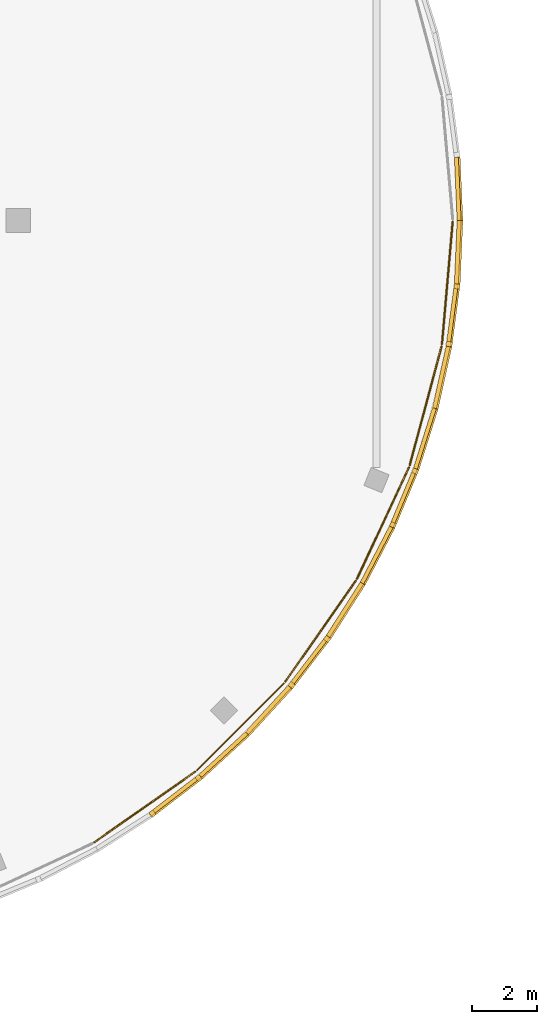
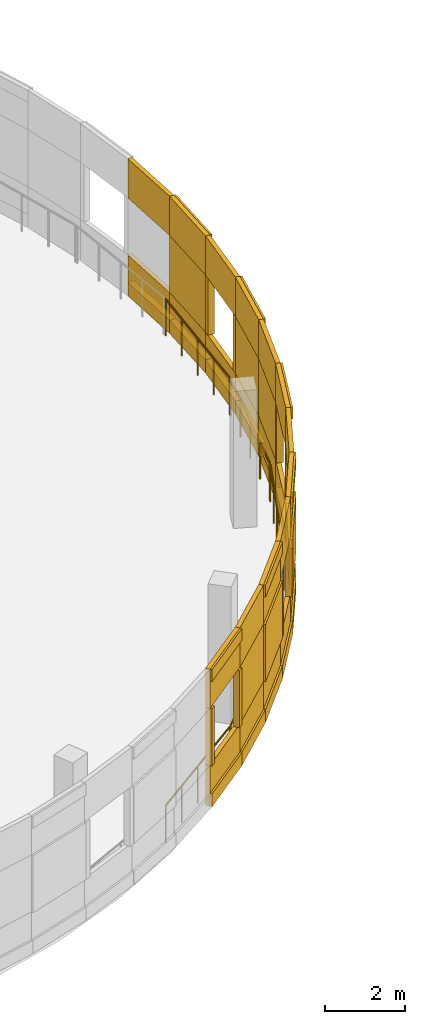
# One storey, part 101 of 103: 57 coverings, 6 railings.
"""IFC4 building model written with IfcOpenShell, lengths in metres."""

from ifc_helpers import new_model, si_unit, direction, frame, origin, origin_2d, place, context, subcontext, project, spatial, rectangle, circle, extrude, material, layer, layer_set, type_object, element, save


model = new_model("IFC4")

# Units and contexts
model_context = context("Model", 3, precision=1e-05, world=origin(), true_north=direction((0.0, 1.0)))
body_context = subcontext(model_context, "Body", "Model", "MODEL_VIEW")
ifc_project = project(units=[si_unit("LENGTHUNIT", "METRE"), si_unit("AREAUNIT", "SQUARE_METRE"), si_unit("VOLUMEUNIT", "CUBIC_METRE"), si_unit("PLANEANGLEUNIT", "RADIAN"), si_unit("MASSUNIT", "GRAM", prefix="KILO")], contexts=[model_context])

# Site, building, storey
site_placement = place(None, origin())
site = spatial("IfcSite", under=ifc_project, at=site_placement, CompositionType="ELEMENT")
building_placement = place(site_placement, origin())
building = spatial("IfcBuilding", under=site, at=building_placement, Name="Deido Ridge Mobility Hub", CompositionType="ELEMENT")
storey_placement = place(building_placement, frame((0.0, 0.0, 12.60009765625)))
storey = spatial("IfcBuildingStorey", under=building, at=storey_placement, Name="L03", CompositionType="ELEMENT", Elevation=12.60009765625)

# Coverings
ifc_material_1 = material(Name="Fired clay brick masonry", Category="masonry")
ifc_layer = layer(ifc_material_1, 0.114990234375, Name="Fired clay brick masonry")
ifc_layer_set = layer_set([ifc_layer], Name="Fired clay brick masonry")
covering_type = type_object("IfcCoveringType", Name="COV-BRK-SCREEN-115", PredefinedType="CLADDING", material=ifc_layer_set)
covering_1_placement = place(storey_placement, frame((130.652099609375, 85.7080078125, 0.0), z_axis=(0.0, 0.0, 1.0), x_axis=(0.793353340291, 0.608761429009, 0.0)))
element("IfcCovering", 1, at=covering_1_placement, inside=storey, type_object=covering_type, Name="Open brickwork spandrel course BKS1 (L03)", PredefinedType="CLADDING", context=body_context, shape_type="SweptSolid", body=[
    extrude(rectangle(XDim=1.9619140625, YDim=0.125, at=origin_2d()), origin(), (0.0, 0.0, 1.0), 1.25),
])
covering_2_placement = place(storey_placement, frame((130.6689453125, 85.686279296875, 0.0), z_axis=(0.0, 0.0, 1.0), x_axis=(0.793353340291, 0.608761429009, 0.0)))
element("IfcCovering", 2, at=covering_2_placement, inside=storey, type_object=covering_type, Name="Raised brick relief belt BKS1 (L03)", PredefinedType="CLADDING", context=body_context, shape_type="SweptSolid", body=[
    extrude(rectangle(XDim=1.9619140625, YDim=0.179931640625, at=origin_2d()), origin(), (0.0, 0.0, 1.0), 0.39990234375),
])
covering_3_placement = place(storey_placement, frame((130.652099609375, 85.7080078125, 3.0), z_axis=(0.0, 0.0, 1.0), x_axis=(0.793353340291, 0.608761429009, 0.0)))
element("IfcCovering", 3, at=covering_3_placement, inside=storey, type_object=covering_type, Name="Open brickwork lintel course BKS1 (L03)", PredefinedType="CLADDING", context=body_context, shape_type="SweptSolid", body=[
    extrude(rectangle(XDim=1.9619140625, YDim=0.125, at=origin_2d()), origin(), (0.0, 0.0, 1.0), 1.199951171875),
])
covering_4_placement = place(storey_placement, frame((130.6689453125, 85.686279296875, 3.83984375), z_axis=(0.0, 0.0, 1.0), x_axis=(0.793353340291, 0.608761429009, 0.0)))
element("IfcCovering", 4, at=covering_4_placement, inside=storey, type_object=covering_type, Name="Raised brick relief cornice BKS1 (L03)", PredefinedType="CLADDING", context=body_context, shape_type="SweptSolid", body=[
    extrude(rectangle(XDim=1.9619140625, YDim=0.179931640625, at=origin_2d()), origin(), (0.0, 0.0, 1.0), 0.360107421875),
])
for number, where, z_axis, x_axis, name in (
    (5, (129.9541015625, 85.1376953125, 1.25), (0.0, 0.0, 1.0), (0.793353340291, 0.608761429009, 0.0), "Curved brick jamb nib BKS1 (L03)"),
    (6, (131.3837890625, 86.23486328125, 1.25), (0.0, 0.0, 1.0), (0.793353340291, 0.608761429009, 0.0), "Curved brick jamb nib BKS1 (L03)"),
):
    element("IfcCovering", number, at=place(storey_placement, frame(where, z_axis=z_axis, x_axis=x_axis)), inside=storey, type_object=covering_type, Name=name, PredefinedType="CLADDING", context=body_context, shape_type="SweptSolid", body=[
        extrude(rectangle(XDim=0.152099609375, YDim=0.179931640625, at=origin_2d()), origin(), (0.0, 0.0, 1.0), 1.75),
    ])
covering_5_placement = place(storey_placement, frame((132.15087890625, 86.9658203125, 0.0), z_axis=(0.0, 0.0, 1.0), x_axis=(0.737289127971, 0.675577339596, 0.0)))
element("IfcCovering", 7, at=covering_5_placement, inside=storey, type_object=covering_type, Name="Open brickwork spandrel course BKS1 (L03)", PredefinedType="CLADDING", context=body_context, shape_type="SweptSolid", body=[
    extrude(rectangle(XDim=1.9619140625, YDim=0.125, at=origin_2d()), origin(), (0.0, 0.0, 1.0), 1.25),
])
covering_6_placement = place(storey_placement, frame((132.16943359375, 86.9453125, 0.0), z_axis=(0.0, 0.0, 1.0), x_axis=(0.737289127971, 0.675577339596, 0.0)))
element("IfcCovering", 8, at=covering_6_placement, inside=storey, type_object=covering_type, Name="Raised brick relief belt BKS1 (L03)", PredefinedType="CLADDING", context=body_context, shape_type="SweptSolid", body=[
    extrude(rectangle(XDim=1.9619140625, YDim=0.179931640625, at=origin_2d()), origin(), (0.0, 0.0, 1.0), 0.39990234375),
])
covering_7_placement = place(storey_placement, frame((132.15087890625, 86.9658203125, 3.0), z_axis=(0.0, 0.0, 1.0), x_axis=(0.737289127971, 0.675577339596, 0.0)))
element("IfcCovering", 9, at=covering_7_placement, inside=storey, type_object=covering_type, Name="Open brickwork lintel course BKS1 (L03)", PredefinedType="CLADDING", context=body_context, shape_type="SweptSolid", body=[
    extrude(rectangle(XDim=1.9619140625, YDim=0.125, at=origin_2d()), origin(), (0.0, 0.0, 1.0), 1.199951171875),
])
covering_8_placement = place(storey_placement, frame((132.15087890625, 86.9658203125, 1.25), z_axis=(0.0, 0.0, 1.0), x_axis=(0.737289127971, 0.675577339596, 0.0)))
element("IfcCovering", 10, at=covering_8_placement, inside=storey, type_object=covering_type, Name="Curved raised brickwork pier BKS1 (L03)", PredefinedType="CLADDING", context=body_context, shape_type="SweptSolid", body=[
    extrude(rectangle(XDim=1.9619140625, YDim=0.125, at=origin_2d()), origin(), (0.0, 0.0, 1.0), 1.75),
])
covering_9_placement = place(storey_placement, frame((133.5341796875, 88.34912109375, 0.0), z_axis=(0.0, 0.0, 1.0), x_axis=(0.675577339596, 0.737289127971, 0.0)))
element("IfcCovering", 11, at=covering_9_placement, inside=storey, type_object=covering_type, Name="Open brickwork spandrel course BKS1 (L03)", PredefinedType="CLADDING", context=body_context, shape_type="SweptSolid", body=[
    extrude(rectangle(XDim=1.9619140625, YDim=0.125, at=origin_2d()), origin(), (0.0, 0.0, 1.0), 1.25),
])
covering_10_placement = place(storey_placement, frame((133.5546875, 88.33056640625, 0.0), z_axis=(0.0, 0.0, 1.0), x_axis=(0.675577339596, 0.737289127971, 0.0)))
element("IfcCovering", 12, at=covering_10_placement, inside=storey, type_object=covering_type, Name="Raised brick relief belt BKS1 (L03)", PredefinedType="CLADDING", context=body_context, shape_type="SweptSolid", body=[
    extrude(rectangle(XDim=1.9619140625, YDim=0.179931640625, at=origin_2d()), origin(), (0.0, 0.0, 1.0), 0.39990234375),
])
covering_11_placement = place(storey_placement, frame((133.5341796875, 88.34912109375, 3.0), z_axis=(0.0, 0.0, 1.0), x_axis=(0.675577339596, 0.737289127971, 0.0)))
element("IfcCovering", 13, at=covering_11_placement, inside=storey, type_object=covering_type, Name="Open brickwork lintel course BKS1 (L03)", PredefinedType="CLADDING", context=body_context, shape_type="SweptSolid", body=[
    extrude(rectangle(XDim=1.9619140625, YDim=0.125, at=origin_2d()), origin(), (0.0, 0.0, 1.0), 1.199951171875),
])
covering_12_placement = place(storey_placement, frame((133.5546875, 88.33056640625, 3.83984375), z_axis=(0.0, 0.0, 1.0), x_axis=(0.675577339596, 0.737289127971, 0.0)))
element("IfcCovering", 14, at=covering_12_placement, inside=storey, type_object=covering_type, Name="Raised brick relief cornice BKS1 (L03)", PredefinedType="CLADDING", context=body_context, shape_type="SweptSolid", body=[
    extrude(rectangle(XDim=1.9619140625, YDim=0.179931640625, at=origin_2d()), origin(), (0.0, 0.0, 1.0), 0.360107421875),
])
covering_13_placement = place(storey_placement, frame((133.5546875, 88.33056640625, 1.25), z_axis=(0.0, 0.0, 1.0), x_axis=(0.675577339596, 0.737289127971, 0.0)))
element("IfcCovering", 15, at=covering_13_placement, inside=storey, type_object=covering_type, Name="Curved raised brickwork pier BKS1 (L03)", PredefinedType="CLADDING", context=body_context, shape_type="SweptSolid", body=[
    extrude(rectangle(XDim=1.9619140625, YDim=0.179931640625, at=origin_2d()), origin(), (0.0, 0.0, 1.0), 1.75),
])
covering_14_placement = place(storey_placement, frame((134.7919921875, 89.847900390625, 0.0), z_axis=(0.0, 0.0, 1.0), x_axis=(0.608761429009, 0.793353340291, 0.0)))
element("IfcCovering", 16, at=covering_14_placement, inside=storey, type_object=covering_type, Name="Open brickwork spandrel course BKS1 (L03)", PredefinedType="CLADDING", context=body_context, shape_type="SweptSolid", body=[
    extrude(rectangle(XDim=1.9619140625, YDim=0.125, at=origin_2d()), origin(), (0.0, 0.0, 1.0), 1.25),
])
covering_15_placement = place(storey_placement, frame((134.813720703125, 89.8310546875, 0.0), z_axis=(0.0, 0.0, 1.0), x_axis=(0.608761429009, 0.793353340291, 0.0)))
element("IfcCovering", 17, at=covering_15_placement, inside=storey, type_object=covering_type, Name="Raised brick relief belt BKS1 (L03)", PredefinedType="CLADDING", context=body_context, shape_type="SweptSolid", body=[
    extrude(rectangle(XDim=1.9619140625, YDim=0.179931640625, at=origin_2d()), origin(), (0.0, 0.0, 1.0), 0.39990234375),
])
covering_16_placement = place(storey_placement, frame((134.7919921875, 89.847900390625, 3.0), z_axis=(0.0, 0.0, 1.0), x_axis=(0.608761429009, 0.793353340291, 0.0)))
element("IfcCovering", 18, at=covering_16_placement, inside=storey, type_object=covering_type, Name="Open brickwork lintel course BKS1 (L03)", PredefinedType="CLADDING", context=body_context, shape_type="SweptSolid", body=[
    extrude(rectangle(XDim=1.9619140625, YDim=0.125, at=origin_2d()), origin(), (0.0, 0.0, 1.0), 1.199951171875),
])
for number, where, z_axis, x_axis, name in (
    (19, (134.26513671875, 89.1162109375, 1.25), (0.0, 0.0, 1.0), (0.608761429009, 0.793353340291, 0.0), "Curved brick jamb nib BKS1 (L03)"),
    (20, (135.3623046875, 90.5458984375, 1.25), (0.0, 0.0, 1.0), (0.608761429009, 0.793353340291, 0.0), "Curved brick jamb nib BKS1 (L03)"),
):
    element("IfcCovering", number, at=place(storey_placement, frame(where, z_axis=z_axis, x_axis=x_axis)), inside=storey, type_object=covering_type, Name=name, PredefinedType="CLADDING", context=body_context, shape_type="SweptSolid", body=[
        extrude(rectangle(XDim=0.152099609375, YDim=0.179931640625, at=origin_2d()), origin(), (0.0, 0.0, 1.0), 1.75),
    ])
covering_17_placement = place(storey_placement, frame((135.9140625, 91.450439453125, 0.0), z_axis=(0.0, 0.0, 1.0), x_axis=(0.537314328223, 0.843382068037, 0.0)))
element("IfcCovering", 21, at=covering_17_placement, inside=storey, type_object=covering_type, Name="Open brickwork spandrel course BKS1 (L03)", PredefinedType="CLADDING", context=body_context, shape_type="SweptSolid", body=[
    extrude(rectangle(XDim=1.9619140625, YDim=0.125, at=origin_2d()), origin(), (0.0, 0.0, 1.0), 1.25),
])
covering_18_placement = place(storey_placement, frame((135.937255859375, 91.435791015625, 0.0), z_axis=(0.0, 0.0, 1.0), x_axis=(0.537314328223, 0.843382068037, 0.0)))
element("IfcCovering", 22, at=covering_18_placement, inside=storey, type_object=covering_type, Name="Raised brick relief belt BKS1 (L03)", PredefinedType="CLADDING", context=body_context, shape_type="SweptSolid", body=[
    extrude(rectangle(XDim=1.9619140625, YDim=0.179931640625, at=origin_2d()), origin(), (0.0, 0.0, 1.0), 0.39990234375),
])
covering_19_placement = place(storey_placement, frame((135.9140625, 91.450439453125, 3.0), z_axis=(0.0, 0.0, 1.0), x_axis=(0.537314328223, 0.843382068037, 0.0)))
element("IfcCovering", 23, at=covering_19_placement, inside=storey, type_object=covering_type, Name="Open brickwork lintel course BKS1 (L03)", PredefinedType="CLADDING", context=body_context, shape_type="SweptSolid", body=[
    extrude(rectangle(XDim=1.9619140625, YDim=0.125, at=origin_2d()), origin(), (0.0, 0.0, 1.0), 1.199951171875),
])
covering_20_placement = place(storey_placement, frame((135.937255859375, 91.435791015625, 3.83984375), z_axis=(0.0, 0.0, 1.0), x_axis=(0.537314328223, 0.843382068037, 0.0)))
element("IfcCovering", 24, at=covering_20_placement, inside=storey, type_object=covering_type, Name="Raised brick relief cornice BKS1 (L03)", PredefinedType="CLADDING", context=body_context, shape_type="SweptSolid", body=[
    extrude(rectangle(XDim=1.9619140625, YDim=0.179931640625, at=origin_2d()), origin(), (0.0, 0.0, 1.0), 0.360107421875),
])
covering_21_placement = place(storey_placement, frame((135.937255859375, 91.435791015625, 1.25), z_axis=(0.0, 0.0, 1.0), x_axis=(0.537314328223, 0.843382068037, 0.0)))
element("IfcCovering", 25, at=covering_21_placement, inside=storey, type_object=covering_type, Name="Curved raised brickwork pier BKS1 (L03)", PredefinedType="CLADDING", context=body_context, shape_type="SweptSolid", body=[
    extrude(rectangle(XDim=1.9619140625, YDim=0.179931640625, at=origin_2d()), origin(), (0.0, 0.0, 1.0), 1.75),
])
covering_22_placement = place(storey_placement, frame((136.892333984375, 93.144775390625, 0.0), z_axis=(0.0, 0.0, 1.0), x_axis=(0.461733131905, 0.887018892077, 0.0)))
element("IfcCovering", 26, at=covering_22_placement, inside=storey, type_object=covering_type, Name="Open brickwork spandrel course BKS1 (L03)", PredefinedType="CLADDING", context=body_context, shape_type="SweptSolid", body=[
    extrude(rectangle(XDim=1.9619140625, YDim=0.125, at=origin_2d()), origin(), (0.0, 0.0, 1.0), 1.25),
])
covering_23_placement = place(storey_placement, frame((136.916748046875, 93.132080078125, 0.0), z_axis=(0.0, 0.0, 1.0), x_axis=(0.461733131905, 0.887018892077, 0.0)))
element("IfcCovering", 27, at=covering_23_placement, inside=storey, type_object=covering_type, Name="Raised brick relief belt BKS1 (L03)", PredefinedType="CLADDING", context=body_context, shape_type="SweptSolid", body=[
    extrude(rectangle(XDim=1.9619140625, YDim=0.179931640625, at=origin_2d()), origin(), (0.0, 0.0, 1.0), 0.39990234375),
])
covering_24_placement = place(storey_placement, frame((136.892333984375, 93.144775390625, 3.0), z_axis=(0.0, 0.0, 1.0), x_axis=(0.461733131905, 0.887018892077, 0.0)))
element("IfcCovering", 28, at=covering_24_placement, inside=storey, type_object=covering_type, Name="Open brickwork lintel course BKS1 (L03)", PredefinedType="CLADDING", context=body_context, shape_type="SweptSolid", body=[
    extrude(rectangle(XDim=1.9619140625, YDim=0.125, at=origin_2d()), origin(), (0.0, 0.0, 1.0), 1.199951171875),
])
covering_25_placement = place(storey_placement, frame((136.892333984375, 93.144775390625, 1.25), z_axis=(0.0, 0.0, 1.0), x_axis=(0.461733131905, 0.887018892077, 0.0)))
element("IfcCovering", 29, at=covering_25_placement, inside=storey, type_object=covering_type, Name="Curved raised brickwork pier BKS1 (L03)", PredefinedType="CLADDING", context=body_context, shape_type="SweptSolid", body=[
    extrude(rectangle(XDim=1.9619140625, YDim=0.125, at=origin_2d()), origin(), (0.0, 0.0, 1.0), 1.75),
])
covering_26_placement = place(storey_placement, frame((137.718994140625, 94.91796875, 0.0), z_axis=(0.0, 0.0, 1.0), x_axis=(0.382699557047, 0.923872853285, 0.0)))
element("IfcCovering", 30, at=covering_26_placement, inside=storey, type_object=covering_type, Name="Open brickwork spandrel course BKS1 (L03)", PredefinedType="CLADDING", context=body_context, shape_type="SweptSolid", body=[
    extrude(rectangle(XDim=1.9619140625, YDim=0.125, at=origin_2d()), origin(), (0.0, 0.0, 1.0), 1.25),
])
covering_27_placement = place(storey_placement, frame((137.744384765625, 94.9072265625, 0.0), z_axis=(0.0, 0.0, 1.0), x_axis=(0.382699557047, 0.923872853285, 0.0)))
element("IfcCovering", 31, at=covering_27_placement, inside=storey, type_object=covering_type, Name="Raised brick relief belt BKS1 (L03)", PredefinedType="CLADDING", context=body_context, shape_type="SweptSolid", body=[
    extrude(rectangle(XDim=1.9619140625, YDim=0.179931640625, at=origin_2d()), origin(), (0.0, 0.0, 1.0), 0.39990234375),
])
covering_28_placement = place(storey_placement, frame((137.718994140625, 94.91796875, 3.0), z_axis=(0.0, 0.0, 1.0), x_axis=(0.382699557047, 0.923872853285, 0.0)))
element("IfcCovering", 32, at=covering_28_placement, inside=storey, type_object=covering_type, Name="Open brickwork lintel course BKS1 (L03)", PredefinedType="CLADDING", context=body_context, shape_type="SweptSolid", body=[
    extrude(rectangle(XDim=1.9619140625, YDim=0.125, at=origin_2d()), origin(), (0.0, 0.0, 1.0), 1.199951171875),
])
covering_29_placement = place(storey_placement, frame((137.744384765625, 94.9072265625, 3.83984375), z_axis=(0.0, 0.0, 1.0), x_axis=(0.382699557047, 0.923872853285, 0.0)))
element("IfcCovering", 33, at=covering_29_placement, inside=storey, type_object=covering_type, Name="Raised brick relief cornice BKS1 (L03)", PredefinedType="CLADDING", context=body_context, shape_type="SweptSolid", body=[
    extrude(rectangle(XDim=1.9619140625, YDim=0.179931640625, at=origin_2d()), origin(), (0.0, 0.0, 1.0), 0.360107421875),
])
for number, where, z_axis, x_axis, name in (
    (34, (137.399658203125, 94.074951171875, 1.25), (0.0, 0.0, 1.0), (0.382699557047, 0.923872853285, 0.0), "Curved brick jamb nib BKS1 (L03)"),
    (35, (138.08935546875, 95.73974609375, 1.25), (0.0, 0.0, 1.0), (0.382699557047, 0.923872853285, 0.0), "Curved brick jamb nib BKS1 (L03)"),
):
    element("IfcCovering", number, at=place(storey_placement, frame(where, z_axis=z_axis, x_axis=x_axis)), inside=storey, type_object=covering_type, Name=name, PredefinedType="CLADDING", context=body_context, shape_type="SweptSolid", body=[
        extrude(rectangle(XDim=0.152099609375, YDim=0.179931640625, at=origin_2d()), origin(), (0.0, 0.0, 1.0), 1.75),
    ])
covering_30_placement = place(storey_placement, frame((138.38818359375, 96.75634765625, 0.0), z_axis=(0.0, 0.0, 1.0), x_axis=(0.300672508319, 0.95372744678, 0.0)))
element("IfcCovering", 36, at=covering_30_placement, inside=storey, type_object=covering_type, Name="Open brickwork spandrel course BKS1 (L03)", PredefinedType="CLADDING", context=body_context, shape_type="SweptSolid", body=[
    extrude(rectangle(XDim=1.9619140625, YDim=0.125, at=origin_2d()), origin(), (0.0, 0.0, 1.0), 1.25),
])
covering_31_placement = place(storey_placement, frame((138.414306640625, 96.748046875, 0.0), z_axis=(0.0, 0.0, 1.0), x_axis=(0.300672508319, 0.95372744678, 0.0)))
element("IfcCovering", 37, at=covering_31_placement, inside=storey, type_object=covering_type, Name="Raised brick relief belt BKS1 (L03)", PredefinedType="CLADDING", context=body_context, shape_type="SweptSolid", body=[
    extrude(rectangle(XDim=1.9619140625, YDim=0.179931640625, at=origin_2d()), origin(), (0.0, 0.0, 1.0), 0.39990234375),
])
covering_32_placement = place(storey_placement, frame((138.38818359375, 96.75634765625, 3.0), z_axis=(0.0, 0.0, 1.0), x_axis=(0.300672508319, 0.95372744678, 0.0)))
element("IfcCovering", 38, at=covering_32_placement, inside=storey, type_object=covering_type, Name="Open brickwork lintel course BKS1 (L03)", PredefinedType="CLADDING", context=body_context, shape_type="SweptSolid", body=[
    extrude(rectangle(XDim=1.9619140625, YDim=0.125, at=origin_2d()), origin(), (0.0, 0.0, 1.0), 1.199951171875),
])
covering_33_placement = place(storey_placement, frame((138.38818359375, 96.75634765625, 1.25), z_axis=(0.0, 0.0, 1.0), x_axis=(0.300672508319, 0.95372744678, 0.0)))
element("IfcCovering", 39, at=covering_33_placement, inside=storey, type_object=covering_type, Name="Curved raised brickwork pier BKS1 (L03)", PredefinedType="CLADDING", context=body_context, shape_type="SweptSolid", body=[
    extrude(rectangle(XDim=1.9619140625, YDim=0.125, at=origin_2d()), origin(), (0.0, 0.0, 1.0), 1.75),
])
covering_34_placement = place(storey_placement, frame((138.89453125, 98.64599609375, 0.0), z_axis=(0.0, 0.0, 1.0), x_axis=(0.216456653485, 0.976292229387, 0.0)))
element("IfcCovering", 40, at=covering_34_placement, inside=storey, type_object=covering_type, Name="Open brickwork spandrel course BKS1 (L03)", PredefinedType="CLADDING", context=body_context, shape_type="SweptSolid", body=[
    extrude(rectangle(XDim=1.9619140625, YDim=0.125, at=origin_2d()), origin(), (0.0, 0.0, 1.0), 1.25),
])
covering_35_placement = place(storey_placement, frame((138.92138671875, 98.64013671875, 0.0), z_axis=(0.0, 0.0, 1.0), x_axis=(0.216456653485, 0.976292229387, 0.0)))
element("IfcCovering", 41, at=covering_35_placement, inside=storey, type_object=covering_type, Name="Raised brick relief belt BKS1 (L03)", PredefinedType="CLADDING", context=body_context, shape_type="SweptSolid", body=[
    extrude(rectangle(XDim=1.9619140625, YDim=0.179931640625, at=origin_2d()), origin(), (0.0, 0.0, 1.0), 0.39990234375),
])
covering_36_placement = place(storey_placement, frame((138.89453125, 98.64599609375, 3.0), z_axis=(0.0, 0.0, 1.0), x_axis=(0.216456653485, 0.976292229387, 0.0)))
element("IfcCovering", 42, at=covering_36_placement, inside=storey, type_object=covering_type, Name="Open brickwork lintel course BKS1 (L03)", PredefinedType="CLADDING", context=body_context, shape_type="SweptSolid", body=[
    extrude(rectangle(XDim=1.9619140625, YDim=0.125, at=origin_2d()), origin(), (0.0, 0.0, 1.0), 1.199951171875),
])
covering_37_placement = place(storey_placement, frame((138.92138671875, 98.64013671875, 3.83984375), z_axis=(0.0, 0.0, 1.0), x_axis=(0.216456653485, 0.976292229387, 0.0)))
element("IfcCovering", 43, at=covering_37_placement, inside=storey, type_object=covering_type, Name="Raised brick relief cornice BKS1 (L03)", PredefinedType="CLADDING", context=body_context, shape_type="SweptSolid", body=[
    extrude(rectangle(XDim=1.9619140625, YDim=0.179931640625, at=origin_2d()), origin(), (0.0, 0.0, 1.0), 0.360107421875),
])
covering_38_placement = place(storey_placement, frame((138.92138671875, 98.64013671875, 1.25), z_axis=(0.0, 0.0, 1.0), x_axis=(0.216456653485, 0.976292229387, 0.0)))
element("IfcCovering", 44, at=covering_38_placement, inside=storey, type_object=covering_type, Name="Curved raised brickwork pier BKS1 (L03)", PredefinedType="CLADDING", context=body_context, shape_type="SweptSolid", body=[
    extrude(rectangle(XDim=1.9619140625, YDim=0.179931640625, at=origin_2d()), origin(), (0.0, 0.0, 1.0), 1.75),
])
covering_39_placement = place(storey_placement, frame((139.234375, 100.57275390625, 0.0), z_axis=(0.0, 0.0, 1.0), x_axis=(0.130543496177, 0.991442583111, 0.0)))
element("IfcCovering", 45, at=covering_39_placement, inside=storey, type_object=covering_type, Name="Open brickwork spandrel course BKS1 (L03)", PredefinedType="CLADDING", context=body_context, shape_type="SweptSolid", body=[
    extrude(rectangle(XDim=1.9619140625, YDim=0.125, at=origin_2d()), origin(), (0.0, 0.0, 1.0), 1.25),
])
covering_40_placement = place(storey_placement, frame((139.26171875, 100.569091796875, 0.0), z_axis=(0.0, 0.0, 1.0), x_axis=(0.130543496177, 0.991442583111, 0.0)))
element("IfcCovering", 46, at=covering_40_placement, inside=storey, type_object=covering_type, Name="Raised brick relief belt BKS1 (L03)", PredefinedType="CLADDING", context=body_context, shape_type="SweptSolid", body=[
    extrude(rectangle(XDim=1.9619140625, YDim=0.179931640625, at=origin_2d()), origin(), (0.0, 0.0, 1.0), 0.39990234375),
])
covering_41_placement = place(storey_placement, frame((139.234375, 100.57275390625, 3.0), z_axis=(0.0, 0.0, 1.0), x_axis=(0.130543496177, 0.991442583111, 0.0)))
element("IfcCovering", 47, at=covering_41_placement, inside=storey, type_object=covering_type, Name="Open brickwork lintel course BKS1 (L03)", PredefinedType="CLADDING", context=body_context, shape_type="SweptSolid", body=[
    extrude(rectangle(XDim=1.9619140625, YDim=0.125, at=origin_2d()), origin(), (0.0, 0.0, 1.0), 1.199951171875),
])
for number, where, z_axis, x_axis, name in (
    (48, (139.14404296875, 99.67578125, 1.25), (0.0, 0.0, 1.0), (0.130543496177, 0.991442583111, 0.0), "Curved brick jamb nib BKS1 (L03)"),
    (49, (139.379150390625, 101.46240234375, 1.25), (0.0, 0.0, 1.0), (0.130543496177, 0.991442583111, 0.0), "Curved brick jamb nib BKS1 (L03)"),
):
    element("IfcCovering", number, at=place(storey_placement, frame(where, z_axis=z_axis, x_axis=x_axis)), inside=storey, type_object=covering_type, Name=name, PredefinedType="CLADDING", context=body_context, shape_type="SweptSolid", body=[
        extrude(rectangle(XDim=0.152099609375, YDim=0.179931640625, at=origin_2d()), origin(), (0.0, 0.0, 1.0), 1.75),
    ])
covering_42_placement = place(storey_placement, frame((139.40478515625, 102.521728515625, 0.0), z_axis=(0.0, 0.0, 1.0), x_axis=(0.043601950678, 0.999048982732, 0.0)))
element("IfcCovering", 50, at=covering_42_placement, inside=storey, type_object=covering_type, Name="Open brickwork spandrel course BKS1 (L03)", PredefinedType="CLADDING", context=body_context, shape_type="SweptSolid", body=[
    extrude(rectangle(XDim=1.9619140625, YDim=0.125, at=origin_2d()), origin(), (0.0, 0.0, 1.0), 1.25),
])
covering_43_placement = place(storey_placement, frame((139.432373046875, 102.5205078125, 0.0), z_axis=(0.0, 0.0, 1.0), x_axis=(0.043601950678, 0.999048982732, 0.0)))
element("IfcCovering", 51, at=covering_43_placement, inside=storey, type_object=covering_type, Name="Raised brick relief belt BKS1 (L03)", PredefinedType="CLADDING", context=body_context, shape_type="SweptSolid", body=[
    extrude(rectangle(XDim=1.9619140625, YDim=0.179931640625, at=origin_2d()), origin(), (0.0, 0.0, 1.0), 0.39990234375),
])
covering_44_placement = place(storey_placement, frame((139.40478515625, 102.521728515625, 3.0), z_axis=(0.0, 0.0, 1.0), x_axis=(0.043601950678, 0.999048982732, 0.0)))
element("IfcCovering", 52, at=covering_44_placement, inside=storey, type_object=covering_type, Name="Open brickwork lintel course BKS1 (L03)", PredefinedType="CLADDING", context=body_context, shape_type="SweptSolid", body=[
    extrude(rectangle(XDim=1.9619140625, YDim=0.125, at=origin_2d()), origin(), (0.0, 0.0, 1.0), 1.199951171875),
])
covering_45_placement = place(storey_placement, frame((139.432373046875, 102.5205078125, 3.83984375), z_axis=(0.0, 0.0, 1.0), x_axis=(0.043601950678, 0.999048982732, 0.0)))
element("IfcCovering", 53, at=covering_45_placement, inside=storey, type_object=covering_type, Name="Raised brick relief cornice BKS1 (L03)", PredefinedType="CLADDING", context=body_context, shape_type="SweptSolid", body=[
    extrude(rectangle(XDim=1.9619140625, YDim=0.179931640625, at=origin_2d()), origin(), (0.0, 0.0, 1.0), 0.360107421875),
])
covering_46_placement = place(storey_placement, frame((139.432373046875, 102.5205078125, 1.25), z_axis=(0.0, 0.0, 1.0), x_axis=(0.043601950678, 0.999048982732, 0.0)))
element("IfcCovering", 54, at=covering_46_placement, inside=storey, type_object=covering_type, Name="Curved raised brickwork pier BKS1 (L03)", PredefinedType="CLADDING", context=body_context, shape_type="SweptSolid", body=[
    extrude(rectangle(XDim=1.9619140625, YDim=0.179931640625, at=origin_2d()), origin(), (0.0, 0.0, 1.0), 1.75),
])
covering_47_placement = place(storey_placement, frame((139.40478515625, 104.478271484375, 0.0), z_axis=(0.0, 0.0, 1.0), x_axis=(-0.043601950678, 0.999048982732, 0.0)))
element("IfcCovering", 55, at=covering_47_placement, inside=storey, type_object=covering_type, Name="Open brickwork spandrel course BKS1 (L03)", PredefinedType="CLADDING", context=body_context, shape_type="SweptSolid", body=[
    extrude(rectangle(XDim=1.9619140625, YDim=0.125, at=origin_2d()), origin(), (0.0, 0.0, 1.0), 1.25),
])
covering_48_placement = place(storey_placement, frame((139.432373046875, 104.4794921875, 0.0), z_axis=(0.0, 0.0, 1.0), x_axis=(-0.043601950678, 0.999048982732, 0.0)))
element("IfcCovering", 56, at=covering_48_placement, inside=storey, type_object=covering_type, Name="Raised brick relief belt BKS1 (L03)", PredefinedType="CLADDING", context=body_context, shape_type="SweptSolid", body=[
    extrude(rectangle(XDim=1.9619140625, YDim=0.179931640625, at=origin_2d()), origin(), (0.0, 0.0, 1.0), 0.39990234375),
])
covering_49_placement = place(storey_placement, frame((139.40478515625, 104.478271484375, 3.0), z_axis=(0.0, 0.0, 1.0), x_axis=(-0.043601950678, 0.999048982732, 0.0)))
element("IfcCovering", 57, at=covering_49_placement, inside=storey, type_object=covering_type, Name="Open brickwork lintel course BKS1 (L03)", PredefinedType="CLADDING", context=body_context, shape_type="SweptSolid", body=[
    extrude(rectangle(XDim=1.9619140625, YDim=0.125, at=origin_2d()), origin(), (0.0, 0.0, 1.0), 1.199951171875),
])

# Railings
ifc_material_2 = material(Name="Galvanised steel work", Category="steel")
railing_type = type_object("IfcRailingType", Name="RL-GRD-EXT-1150", PredefinedType="GUARDRAIL", material=ifc_material_2)
railing_1_placement = place(storey_placement, frame((128.15771484375, 84.25390625, 0.0)))
element("IfcRailing", 58, at=railing_1_placement, inside=storey, type_object=railing_type, Name="Parking drum perimeter guard (L03)", PredefinedType="GUARDRAIL", context=body_context, shape_type="SweptSolid", body=[
    extrude(circle(Radius=0.02392578125, at=origin_2d()), frame((0.0, 0.0, 1.1259765625), z_axis=(0.819156425271, 0.573570179609, 0.0), x_axis=(-0.573570179609, 0.819156425271, 0.0)), (0.0, 0.0, 1.0), 3.798583984375),
    extrude(circle(Radius=0.02099609375, at=origin_2d()), origin(), (0.0, 0.0, 1.0), 1.101806640625),
    extrude(circle(Radius=0.02099609375, at=origin_2d()), frame((0.77783203125, 0.544677734375, 0.0)), (0.0, 0.0, 1.0), 1.101806640625),
    extrude(circle(Radius=0.02099609375, at=origin_2d()), frame((1.5556640625, 1.08935546875, 0.0)), (0.0, 0.0, 1.0), 1.101806640625),
    extrude(circle(Radius=0.02099609375, at=origin_2d()), frame((2.333740234375, 1.634033203125, 0.0)), (0.0, 0.0, 1.0), 1.101806640625),
    extrude(circle(Radius=0.02099609375, at=origin_2d()), frame((3.111572265625, 2.1787109375, 0.0)), (0.0, 0.0, 1.0), 1.101806640625),
])
railing_2_placement = place(storey_placement, frame((131.330322265625, 86.48388671875, 0.0)))
element("IfcRailing", 59, at=railing_2_placement, inside=storey, type_object=railing_type, Name="Parking drum perimeter guard (L03)", PredefinedType="GUARDRAIL", context=body_context, shape_type="SweptSolid", body=[
    extrude(circle(Radius=0.02392578125, at=origin_2d()), frame((0.0, 0.0, 1.1259765625), z_axis=(0.707106781187, 0.707106781187, 0.0), x_axis=(-0.707106781187, 0.707106781187, 0.0)), (0.0, 0.0, 1.0), 3.79833984375),
    extrude(circle(Radius=0.02099609375, at=origin_2d()), origin(), (0.0, 0.0, 1.0), 1.101806640625),
    extrude(circle(Radius=0.02099609375, at=origin_2d()), frame((0.67138671875, 0.67138671875, 0.0)), (0.0, 0.0, 1.0), 1.101806640625),
    extrude(circle(Radius=0.02099609375, at=origin_2d()), frame((1.3427734375, 1.3427734375, 0.0)), (0.0, 0.0, 1.0), 1.101806640625),
    extrude(circle(Radius=0.02099609375, at=origin_2d()), frame((2.014404296875, 2.014404296875, 0.0)), (0.0, 0.0, 1.0), 1.101806640625),
    extrude(circle(Radius=0.02099609375, at=origin_2d()), frame((2.685791015625, 2.685791015625, 0.0)), (0.0, 0.0, 1.0), 1.101806640625),
])
railing_3_placement = place(storey_placement, frame((134.0673828125, 89.230712890625, 0.0)))
element("IfcRailing", 60, at=railing_3_placement, inside=storey, type_object=railing_type, Name="Parking drum perimeter guard (L03)", PredefinedType="GUARDRAIL", context=body_context, shape_type="SweptSolid", body=[
    extrude(circle(Radius=0.02392578125, at=origin_2d()), frame((0.0, 0.0, 1.1259765625), z_axis=(0.573570179609, 0.819156425271, 0.0), x_axis=(-0.819156425271, 0.573570179609, 0.0)), (0.0, 0.0, 1.0), 3.798583984375),
    extrude(circle(Radius=0.02099609375, at=origin_2d()), origin(), (0.0, 0.0, 1.0), 1.101806640625),
    extrude(circle(Radius=0.02099609375, at=origin_2d()), frame((0.544677734375, 0.77783203125, 0.0)), (0.0, 0.0, 1.0), 1.101806640625),
    extrude(circle(Radius=0.02099609375, at=origin_2d()), frame((1.08935546875, 1.5556640625, 0.0)), (0.0, 0.0, 1.0), 1.101806640625),
    extrude(circle(Radius=0.02099609375, at=origin_2d()), frame((1.634033203125, 2.333740234375, 0.0)), (0.0, 0.0, 1.0), 1.101806640625),
    extrude(circle(Radius=0.02099609375, at=origin_2d()), frame((2.1787109375, 3.111572265625, 0.0)), (0.0, 0.0, 1.0), 1.101806640625),
])
railing_4_placement = place(storey_placement, frame((136.285888671875, 92.411376953125, 0.0)))
element("IfcRailing", 61, at=railing_4_placement, inside=storey, type_object=railing_type, Name="Parking drum perimeter guard (L03)", PredefinedType="GUARDRAIL", context=body_context, shape_type="SweptSolid", body=[
    extrude(circle(Radius=0.02392578125, at=origin_2d()), frame((0.0, 0.0, 1.1259765625), z_axis=(0.422674330627, 0.906281639574, 0.0), x_axis=(-0.906281639574, 0.422674330627, 0.0)), (0.0, 0.0, 1.0), 3.79833984375),
    extrude(circle(Radius=0.02099609375, at=origin_2d()), origin(), (0.0, 0.0, 1.0), 1.101806640625),
    extrude(circle(Radius=0.02099609375, at=origin_2d()), frame((0.4013671875, 0.860595703125, 0.0)), (0.0, 0.0, 1.0), 1.101806640625),
    extrude(circle(Radius=0.02099609375, at=origin_2d()), frame((0.802734375, 1.72119140625, 0.0)), (0.0, 0.0, 1.0), 1.101806640625),
    extrude(circle(Radius=0.02099609375, at=origin_2d()), frame((1.2041015625, 2.581787109375, 0.0)), (0.0, 0.0, 1.0), 1.101806640625),
    extrude(circle(Radius=0.02099609375, at=origin_2d()), frame((1.60546875, 3.4423828125, 0.0)), (0.0, 0.0, 1.0), 1.101806640625),
])
railing_5_placement = place(storey_placement, frame((137.918701171875, 95.9287109375, 0.0)))
element("IfcRailing", 62, at=railing_5_placement, inside=storey, type_object=railing_type, Name="Parking drum perimeter guard (L03)", PredefinedType="GUARDRAIL", context=body_context, shape_type="SweptSolid", body=[
    extrude(circle(Radius=0.02392578125, at=origin_2d()), frame((0.0, 0.0, 1.1259765625), z_axis=(0.258774639064, 0.965937723757, 0.0), x_axis=(-0.965937723757, 0.258774639064, 0.0)), (0.0, 0.0, 1.0), 3.79833984375),
    extrude(circle(Radius=0.02099609375, at=origin_2d()), origin(), (0.0, 0.0, 1.0), 1.101806640625),
    extrude(circle(Radius=0.02099609375, at=origin_2d()), frame((0.24560546875, 0.917236328125, 0.0)), (0.0, 0.0, 1.0), 1.101806640625),
    extrude(circle(Radius=0.02099609375, at=origin_2d()), frame((0.491455078125, 1.83447265625, 0.0)), (0.0, 0.0, 1.0), 1.101806640625),
    extrude(circle(Radius=0.02099609375, at=origin_2d()), frame((0.7373046875, 2.751708984375, 0.0)), (0.0, 0.0, 1.0), 1.101806640625),
    extrude(circle(Radius=0.02099609375, at=origin_2d()), frame((0.98291015625, 3.6689453125, 0.0)), (0.0, 0.0, 1.0), 1.101806640625),
])
railing_6_placement = place(storey_placement, frame((138.91552734375, 99.676025390625, 0.0)))
element("IfcRailing", 63, at=railing_6_placement, inside=storey, type_object=railing_type, Name="Parking drum perimeter guard (L03)", PredefinedType="GUARDRAIL", context=body_context, shape_type="SweptSolid", body=[
    extrude(circle(Radius=0.02392578125, at=origin_2d()), frame((0.0, 0.0, 1.1259765625), z_axis=(0.08715100469, 0.996195112607, 0.0), x_axis=(-0.996195112607, 0.08715100469, 0.0)), (0.0, 0.0, 1.0), 3.798583984375),
    extrude(circle(Radius=0.02099609375, at=origin_2d()), origin(), (0.0, 0.0, 1.0), 1.101806640625),
    extrude(circle(Radius=0.02099609375, at=origin_2d()), frame((0.082763671875, 0.946044921875, 0.0)), (0.0, 0.0, 1.0), 1.101806640625),
    extrude(circle(Radius=0.02099609375, at=origin_2d()), frame((0.16552734375, 1.89208984375, 0.0)), (0.0, 0.0, 1.0), 1.101806640625),
    extrude(circle(Radius=0.02099609375, at=origin_2d()), frame((0.248291015625, 2.838134765625, 0.0)), (0.0, 0.0, 1.0), 1.101806640625),
    extrude(circle(Radius=0.02099609375, at=origin_2d()), frame((0.3310546875, 3.7841796875, 0.0)), (0.0, 0.0, 1.0), 1.101806640625),
])

save(model, "model.ifc")
